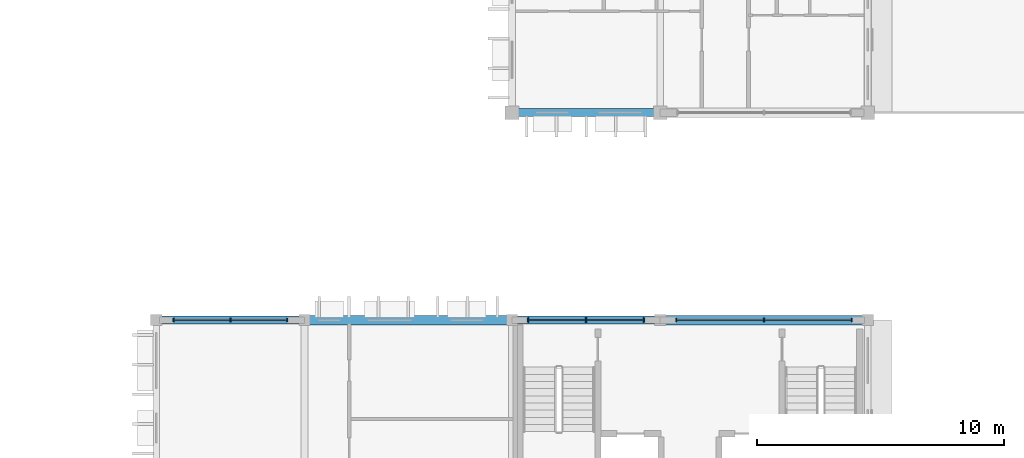
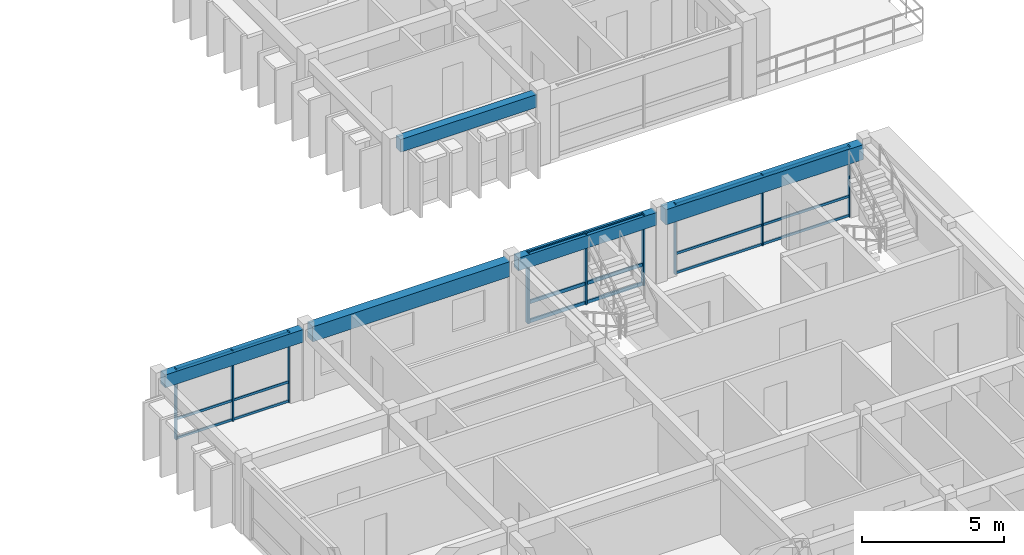
# One storey, part 14 of 68: 18 members, 5 beams, 3 elements without a shape of their own.
"""IFC4 building model written with IfcOpenShell, lengths in metres."""

import ifcopenshell
import ifcopenshell.guid

model = None  # the IFC model being written
_history = None  # IfcOwnerHistory: only IFC2X3 demands one
_inside = {}  # id of a spatial element -> (the spatial element, [elements in it])
_under = {}  # id of a project, library or spatial element -> (it, [spatial elements below it])
_declared = {}  # id of a project -> (the project, [libraries it declares])
_typed = {}  # id of a type object -> (the type object, [elements of that type])
_made_of = {}  # id of a material, layer set ... -> (it, [elements and type objects made of it])


def new_model(schema):
    """Start an empty IFC model of exactly this schema.

    Asked for "IFC4X3", IfcOpenShell would pick the latest addendum, in which some entities
    have other attributes; the version numbers below select the first issue.
    IFC2X3 requires an IfcOwnerHistory on every rooted entity: one is made here for all.
    """
    global model, _history
    if schema == "IFC4X3":
        model = ifcopenshell.file(schema_version=(4, 3, 0, 0))
    else:
        model = ifcopenshell.file(schema=schema)
    _inside.clear()
    _under.clear()
    _declared.clear()
    _typed.clear()
    _made_of.clear()
    _history = None
    if model.schema == "IFC2X3":
        org = make("IfcOrganization", Name="unknown")
        user = make(
            "IfcPersonAndOrganization",
            ThePerson=make("IfcPerson", FamilyName="unknown"),
            TheOrganization=org,
        )
        app = make(
            "IfcApplication",
            ApplicationDeveloper=org,
            Version="unknown",
            ApplicationFullName="unknown",
            ApplicationIdentifier="unknown",
        )
        _history = make(
            "IfcOwnerHistory",
            OwningUser=user,
            OwningApplication=app,
            ChangeAction="ADDED",
            CreationDate=0,
        )
    return model


def make(cls, **values):
    """One entity of the class cls with the attributes given. An attribute that is None is left unset."""
    return model.create_entity(
        cls, **{name: value for name, value in values.items() if value is not None}
    )


def rooted(cls, **values):
    """An entity with a GlobalId (a new one), such as an element, a storey or a relation."""
    return make(cls, GlobalId=ifcopenshell.guid.new(), OwnerHistory=_history, **values)


def si_unit(unit_type, name, prefix=None):
    """IfcSIUnit, for example si_unit("LENGTHUNIT", "METRE", prefix="MILLI")."""
    return make("IfcSIUnit", UnitType=unit_type, Prefix=prefix, Name=name)


def assignment(units):
    """IfcUnitAssignment: the units of a project."""
    return None if units is None else make("IfcUnitAssignment", Units=units)


def point(xyz):
    """IfcCartesianPoint."""
    return None if xyz is None else make("IfcCartesianPoint", Coordinates=xyz)


def direction(xyz):
    """IfcDirection."""
    return None if xyz is None else make("IfcDirection", DirectionRatios=xyz)


def frame(location, z_axis=None, x_axis=None):
    """IfcAxis2Placement3D, a coordinate frame: its origin and axes. An axis left out is left unset."""
    return make(
        "IfcAxis2Placement3D",
        Location=point(location),
        Axis=direction(z_axis),
        RefDirection=direction(x_axis),
    )


def frame_2d(location, x_axis=None):
    """IfcAxis2Placement2D, a coordinate frame in the plane: its origin and x axis."""
    return make(
        "IfcAxis2Placement2D", Location=point(location), RefDirection=direction(x_axis)
    )


def origin():
    """The frame at (0, 0, 0) with its axes left unset."""
    return frame((0.0, 0.0, 0.0))


def origin_2d():
    """The frame at (0, 0) in the plane with its x axis left unset."""
    return frame_2d((0.0, 0.0))


def place(relative_to, where):
    """IfcLocalPlacement: puts the frame where relative to a parent placement (None: the world)."""
    return make(
        "IfcLocalPlacement", PlacementRelTo=relative_to, RelativePlacement=where
    )


def context(
    kind, dimensions, precision=None, world=None, true_north=None, identifier=None
):
    """IfcGeometricRepresentationContext, for example the 3D "Model" context."""
    return make(
        "IfcGeometricRepresentationContext",
        ContextIdentifier=identifier,
        ContextType=kind,
        CoordinateSpaceDimension=dimensions,
        Precision=precision,
        WorldCoordinateSystem=world,
        TrueNorth=true_north,
    )


def subcontext(parent, identifier, kind, view, scale=None):
    """IfcGeometricRepresentationSubContext, for example "Body" below "Model"."""
    return make(
        "IfcGeometricRepresentationSubContext",
        ContextIdentifier=identifier,
        ContextType=kind,
        ParentContext=parent,
        TargetScale=scale,
        TargetView=view,
    )


def project(units=None, contexts=None):
    """IfcProject with its units and contexts."""
    return rooted(
        "IfcProject",
        Name="project",
        RepresentationContexts=contexts,
        UnitsInContext=assignment(units),
    )


def spatial(cls, under=None, at=None, **own):
    """A site, building, storey or space (cls), placed at a placement, below another one or the project."""
    s = rooted(cls, ObjectPlacement=at, **own)
    if under is not None:
        _under.setdefault(under.id(), (under, []))[1].append(s)
    return s


def profile(cls, at=None, kind="AREA", **sizes):
    """A parametric profile (cls). Its sizes go by their IFC names, for example OverallWidth=200.0."""
    return make(cls, ProfileType=kind, Position=at, **sizes)


def rectangle(**sizes):
    """IfcRectangleProfileDef."""
    return profile("IfcRectangleProfileDef", **sizes)


def extrude(swept, where, along, depth):
    """IfcExtrudedAreaSolid: the profile swept, set in the frame where, extruded along a direction by depth."""
    return make(
        "IfcExtrudedAreaSolid",
        SweptArea=swept,
        Position=where,
        ExtrudedDirection=direction(along),
        Depth=depth,
    )


def shape(context_of_items, identifier, shape_type, items):
    """IfcShapeRepresentation: the items that make up one representation, for example the "Body"."""
    return make(
        "IfcShapeRepresentation",
        ContextOfItems=context_of_items,
        RepresentationIdentifier=identifier,
        RepresentationType=shape_type,
        Items=items,
    )


def material(Name=None, Category=None):
    """IfcMaterial."""
    return make("IfcMaterial", Name=Name, Category=Category)


def material_profile(
    of_material, cross_section, Name=None, Category=None, Priority=None
):
    """IfcMaterialProfile: a cross section and its material."""
    return make(
        "IfcMaterialProfile",
        Name=Name,
        Material=of_material,
        Profile=cross_section,
        Priority=Priority,
        Category=Category,
    )


def profile_set(profiles, Name=None, composite=None):
    """IfcMaterialProfileSet."""
    return make(
        "IfcMaterialProfileSet",
        Name=Name,
        MaterialProfiles=profiles,
        CompositeProfile=composite,
    )


def made_of(thing, what):
    """Note that an element or type object is made of a material, layer set ...; save() writes the relation."""
    if what is not None:
        _made_of.setdefault(what.id(), (what, []))[1].append(thing)
    return thing


def type_object(cls, material=None, **own):
    """A type object (cls), such as IfcWallType, which elements share."""
    return made_of(rooted(cls, **own), material)


def element(
    cls,
    number,
    at=None,
    inside=None,
    cuts=None,
    type_object=None,
    material=None,
    context=None,
    identifier="Body",
    shape_type=None,
    held_by="IfcProductDefinitionShape",
    body=None,
    shapes=None,
    **own,
):
    """One element of the class cls, such as IfcWall. Its Tag is "e" and its number.

    at: its placement. inside: the storey or other place that contains it. cuts: it is an
    opening in that element (IfcRelVoidsElement). A single representation is given by context,
    identifier, shape_type and body (its items); several are given by shapes. held_by: the class
    of the entity that holds the representations. save() writes the other relations.
    """
    e = rooted(cls, Tag="e%d" % number, ObjectPlacement=at, **own)
    if body is not None:
        shapes = [shape(context, identifier, shape_type, body)]
    if shapes is not None:
        e.Representation = make(held_by, Representations=shapes)
    if inside is not None:
        _inside.setdefault(inside.id(), (inside, []))[1].append(e)
    if cuts is not None:
        rooted(
            "IfcRelVoidsElement", RelatingBuildingElement=cuts, RelatedOpeningElement=e
        )
    if type_object is not None:
        _typed.setdefault(type_object.id(), (type_object, []))[1].append(e)
    return made_of(e, material)


def aggregate(whole, parts):
    """IfcRelAggregates: a whole, such as a stair, and the parts it consists of."""
    return rooted("IfcRelAggregates", RelatingObject=whole, RelatedObjects=parts)


def save(model, path):
    """Write the relations noted so far, then the file.

    IfcRelAggregates (storeys below a building ...), IfcRelContainedInSpatialStructure (elements
    in a storey), IfcRelDefinesByType, IfcRelAssociatesMaterial and IfcRelDeclares: one each for
    every whole, place, type object, material and project.
    """
    for whole, parts in _under.values():
        aggregate(whole, parts)
    for where, things in _inside.values():
        rooted(
            "IfcRelContainedInSpatialStructure",
            RelatedElements=things,
            RelatingStructure=where,
        )
    for kind, things in _typed.values():
        rooted("IfcRelDefinesByType", RelatedObjects=things, RelatingType=kind)
    for what, things in _made_of.values():
        rooted("IfcRelAssociatesMaterial", RelatedObjects=things, RelatingMaterial=what)
    for by, libraries in _declared.values():
        rooted("IfcRelDeclares", RelatingContext=by, RelatedDefinitions=libraries)
    model.write(path)


model = new_model("IFC4")

# Units and contexts
model_context = context("Model", 3, precision=1e-05, world=origin(), true_north=direction((0.0, 1.0)))
body_context = subcontext(model_context, "Body", "Model", "MODEL_VIEW")
ifc_project = project(units=[si_unit("LENGTHUNIT", "METRE"), si_unit("AREAUNIT", "SQUARE_METRE"), si_unit("VOLUMEUNIT", "CUBIC_METRE"), si_unit("PLANEANGLEUNIT", "RADIAN"), si_unit("MASSUNIT", "GRAM", prefix="KILO"), si_unit("THERMODYNAMICTEMPERATUREUNIT", "KELVIN")], contexts=[model_context])

# Site, building, storey
site_placement = place(None, origin())
site = spatial("IfcSite", under=ifc_project, at=site_placement, CompositionType="ELEMENT")
building_placement = place(site_placement, origin())
building = spatial("IfcBuilding", under=site, at=building_placement, Name="Thalorik Housing Commons", CompositionType="ELEMENT")
storey_placement = place(building_placement, frame((0.0, 0.0, 24.60009765625)))
storey = spatial("IfcBuildingStorey", under=building, at=storey_placement, Name="L07", CompositionType="ELEMENT", Elevation=24.60009765625)

# Curtain wall, members
ifc_material_1 = material(Name="Anodised aluminium and solar-control low-E glass", Category="aluminium")
curtain_wall_type_1 = type_object("IfcCurtainWallType", Name="ARC-CW-LOUNGE", PredefinedType="USERDEFINED", material=ifc_material_1)
curtain_wall_1_placement = place(storey_placement, origin())
curtain_wall_1 = element("IfcCurtainWall", 1, at=curtain_wall_1_placement, inside=storey, type_object=curtain_wall_type_1, Name="L07 Curtain Wall CW-RES-L07-D-200", ObjectType="CURTAIN WALL", PredefinedType="USERDEFINED")
ifc_material_2 = material(Name="Anodised aluminium 6063-T6", Category="aluminium")
ifc_material_profile_1 = material_profile(ifc_material_2, rectangle(XDim=0.054931640625, YDim=0.139892578125, at=origin_2d()), Name="ALU MUL 55x140", Category="aluminium")
ifc_profile_set_1 = profile_set([ifc_material_profile_1], Name="Anodised aluminium 6063-T6")
member_type_1 = type_object("IfcMemberType", Name="ARC-CW-MUL-55x140", PredefinedType="MULLION", material=ifc_profile_set_1)
member_1_placement = place(storey_placement, frame((143.300048828125, 72.0, 0.0), z_axis=(0.0, 0.0, 1.0), x_axis=(-1.0, 0.0, 0.0)))
member_1 = element("IfcMember", 2, at=member_1_placement, type_object=member_type_1, Name="CW-RES-L07-D-200 Mullion 1", PredefinedType="MULLION", context=body_context, shape_type="SweptSolid", body=[
    extrude(rectangle(XDim=0.054931640625, YDim=0.139892578125, at=origin_2d()), origin(), (0.0, 0.0, 1.0), 3.039794921875),
])
member_2_placement = place(storey_placement, frame((141.0, 72.0, 0.0), z_axis=(0.0, 0.0, 1.0), x_axis=(-1.0, 0.0, 0.0)))
member_2 = element("IfcMember", 3, at=member_2_placement, type_object=member_type_1, Name="CW-RES-L07-D-200 Mullion 2", PredefinedType="MULLION", context=body_context, shape_type="SweptSolid", body=[
    extrude(rectangle(XDim=0.054931640625, YDim=0.139892578125, at=origin_2d()), origin(), (0.0, 0.0, 1.0), 3.039794921875),
])
member_3_placement = place(storey_placement, frame((138.699951171875, 72.0, 0.0), z_axis=(0.0, 0.0, 1.0), x_axis=(-1.0, 0.0, 0.0)))
member_3 = element("IfcMember", 4, at=member_3_placement, type_object=member_type_1, Name="CW-RES-L07-D-200 Mullion 3", PredefinedType="MULLION", context=body_context, shape_type="SweptSolid", body=[
    extrude(rectangle(XDim=0.054931640625, YDim=0.139892578125, at=origin_2d()), origin(), (0.0, 0.0, 1.0), 3.039794921875),
])

curtain_wall_type_2 = type_object("IfcCurtainWallType", Name="ARC-CW-CORE", PredefinedType="USERDEFINED", material=ifc_material_1)
curtain_wall_2_placement = place(storey_placement, origin())
curtain_wall_2 = element("IfcCurtainWall", 5, at=curtain_wall_2_placement, inside=storey, type_object=curtain_wall_type_2, Name="L07 Curtain Wall CW-CORE-L07-D-205", ObjectType="CURTAIN WALL", PredefinedType="USERDEFINED")
member_4_placement = place(storey_placement, frame((166.14990234375, 72.0, 0.0), z_axis=(0.0, 0.0, 1.0), x_axis=(-1.0, 0.0, 0.0)))
member_4 = element("IfcMember", 6, at=member_4_placement, type_object=member_type_1, Name="CW-CORE-L07-D-205 Mullion 1", PredefinedType="MULLION", context=body_context, shape_type="SweptSolid", body=[
    extrude(rectangle(XDim=0.054931640625, YDim=0.139892578125, at=origin_2d()), origin(), (0.0, 0.0, 1.0), 3.039794921875),
])
member_5_placement = place(storey_placement, frame((162.60009765625, 72.0, 0.0), z_axis=(0.0, 0.0, 1.0), x_axis=(-1.0, 0.0, 0.0)))
member_5 = element("IfcMember", 7, at=member_5_placement, type_object=member_type_1, Name="CW-CORE-L07-D-205 Mullion 2", PredefinedType="MULLION", context=body_context, shape_type="SweptSolid", body=[
    extrude(rectangle(XDim=0.054931640625, YDim=0.139892578125, at=origin_2d()), origin(), (0.0, 0.0, 1.0), 3.039794921875),
])
member_6_placement = place(storey_placement, frame((159.050048828125, 72.0, 0.0), z_axis=(0.0, 0.0, 1.0), x_axis=(-1.0, 0.0, 0.0)))
member_6 = element("IfcMember", 8, at=member_6_placement, type_object=member_type_1, Name="CW-CORE-L07-D-205 Mullion 3", PredefinedType="MULLION", context=body_context, shape_type="SweptSolid", body=[
    extrude(rectangle(XDim=0.054931640625, YDim=0.139892578125, at=origin_2d()), origin(), (0.0, 0.0, 1.0), 3.039794921875),
])

curtain_wall_3_placement = place(storey_placement, origin())
curtain_wall_3 = element("IfcCurtainWall", 9, at=curtain_wall_3_placement, inside=storey, type_object=curtain_wall_type_2, Name="L07 Curtain Wall CW-CORE-L07-D-206", ObjectType="CURTAIN WALL", PredefinedType="USERDEFINED")
ifc_material_profile_2 = material_profile(ifc_material_2, rectangle(XDim=0.06494140625, YDim=0.179931640625, at=origin_2d()), Name="ALU MUL 65x180", Category="aluminium")
ifc_profile_set_2 = profile_set([ifc_material_profile_2], Name="Anodised aluminium 6063-T6")
member_type_2 = type_object("IfcMemberType", Name="ARC-CW-MUL-65x180", PredefinedType="MULLION", material=ifc_profile_set_2)
member_7_placement = place(storey_placement, frame((157.75, 72.0, 0.0), z_axis=(0.0, 0.0, 1.0), x_axis=(-1.0, 0.0, 0.0)))
member_7 = element("IfcMember", 10, at=member_7_placement, type_object=member_type_2, Name="CW-CORE-L07-D-206 Mullion 1", PredefinedType="MULLION", context=body_context, shape_type="SweptSolid", body=[
    extrude(rectangle(XDim=0.06494140625, YDim=0.179931640625, at=origin_2d()), origin(), (0.0, 0.0, 1.0), 3.039794921875),
])
member_8_placement = place(storey_placement, frame((155.39990234375, 72.0, 0.0), z_axis=(0.0, 0.0, 1.0), x_axis=(-1.0, 0.0, 0.0)))
member_8 = element("IfcMember", 11, at=member_8_placement, type_object=member_type_2, Name="CW-CORE-L07-D-206 Mullion 2", PredefinedType="MULLION", context=body_context, shape_type="SweptSolid", body=[
    extrude(rectangle(XDim=0.06494140625, YDim=0.179931640625, at=origin_2d()), origin(), (0.0, 0.0, 1.0), 3.039794921875),
])
member_9_placement = place(storey_placement, frame((153.050048828125, 72.0, 0.0), z_axis=(0.0, 0.0, 1.0), x_axis=(-1.0, 0.0, 0.0)))
member_9 = element("IfcMember", 12, at=member_9_placement, type_object=member_type_2, Name="CW-CORE-L07-D-206 Mullion 3", PredefinedType="MULLION", context=body_context, shape_type="SweptSolid", body=[
    extrude(rectangle(XDim=0.06494140625, YDim=0.179931640625, at=origin_2d()), origin(), (0.0, 0.0, 1.0), 3.039794921875),
])

# Member
ifc_material_profile_3 = material_profile(ifc_material_2, rectangle(XDim=0.054931640625, YDim=0.10498046875, at=origin_2d()), Name="ALU TRN 55x105", Category="aluminium")
ifc_profile_set_3 = profile_set([ifc_material_profile_3], Name="Anodised aluminium 6063-T6")
member_type_3 = type_object("IfcMemberType", Name="ARC-CW-TRN-55x105", PredefinedType="USERDEFINED", material=ifc_profile_set_3)
member_10_placement = place(storey_placement, frame((143.300048828125, 72.0, 0.054931640625), z_axis=(-1.0, 0.0, 0.0), x_axis=(0.0, -1.0, 0.0)))
member_10 = element("IfcMember", 13, at=member_10_placement, type_object=member_type_3, Name="CW-RES-L07-D-200 Transom 1", ObjectType="TRANSOM", PredefinedType="USERDEFINED", context=body_context, shape_type="SweptSolid", body=[
    extrude(rectangle(XDim=0.054931640625, YDim=0.10498046875, at=origin_2d()), origin(), (0.0, 0.0, 1.0), 4.60009765625),
])

member_11_placement = place(storey_placement, frame((143.300048828125, 72.0, 0.8798828125), z_axis=(-1.0, 0.0, 0.0), x_axis=(0.0, -1.0, 0.0)))
member_11 = element("IfcMember", 14, at=member_11_placement, type_object=member_type_3, Name="CW-RES-L07-D-200 Transom 2", ObjectType="TRANSOM", PredefinedType="USERDEFINED", context=body_context, shape_type="SweptSolid", body=[
    extrude(rectangle(XDim=0.054931640625, YDim=0.10498046875, at=origin_2d()), origin(), (0.0, 0.0, 1.0), 4.60009765625),
])

member_12_placement = place(storey_placement, frame((143.300048828125, 72.0, 2.98486328125), z_axis=(-1.0, 0.0, 0.0), x_axis=(0.0, -1.0, 0.0)))
member_12 = element("IfcMember", 15, at=member_12_placement, type_object=member_type_3, Name="CW-RES-L07-D-200 Transom 3", ObjectType="TRANSOM", PredefinedType="USERDEFINED", context=body_context, shape_type="SweptSolid", body=[
    extrude(rectangle(XDim=0.054931640625, YDim=0.10498046875, at=origin_2d()), origin(), (0.0, 0.0, 1.0), 4.60009765625),
])

aggregate(curtain_wall_1, [member_1, member_2, member_3, member_10, member_11, member_12])

member_13_placement = place(storey_placement, frame((166.14990234375, 72.0, 0.054931640625), z_axis=(-1.0, 0.0, 0.0), x_axis=(0.0, -1.0, 0.0)))
member_13 = element("IfcMember", 16, at=member_13_placement, type_object=member_type_3, Name="CW-CORE-L07-D-205 Transom 1", ObjectType="TRANSOM", PredefinedType="USERDEFINED", context=body_context, shape_type="SweptSolid", body=[
    extrude(rectangle(XDim=0.054931640625, YDim=0.10498046875, at=origin_2d()), origin(), (0.0, 0.0, 1.0), 7.099853515625),
])

member_14_placement = place(storey_placement, frame((166.14990234375, 72.0, 0.8798828125), z_axis=(-1.0, 0.0, 0.0), x_axis=(0.0, -1.0, 0.0)))
member_14 = element("IfcMember", 17, at=member_14_placement, type_object=member_type_3, Name="CW-CORE-L07-D-205 Transom 2", ObjectType="TRANSOM", PredefinedType="USERDEFINED", context=body_context, shape_type="SweptSolid", body=[
    extrude(rectangle(XDim=0.054931640625, YDim=0.10498046875, at=origin_2d()), origin(), (0.0, 0.0, 1.0), 7.099853515625),
])

member_15_placement = place(storey_placement, frame((166.14990234375, 72.0, 2.98486328125), z_axis=(-1.0, 0.0, 0.0), x_axis=(0.0, -1.0, 0.0)))
member_15 = element("IfcMember", 18, at=member_15_placement, type_object=member_type_3, Name="CW-CORE-L07-D-205 Transom 3", ObjectType="TRANSOM", PredefinedType="USERDEFINED", context=body_context, shape_type="SweptSolid", body=[
    extrude(rectangle(XDim=0.054931640625, YDim=0.10498046875, at=origin_2d()), origin(), (0.0, 0.0, 1.0), 7.099853515625),
])

aggregate(curtain_wall_2, [member_4, member_5, member_6, member_13, member_14, member_15])

ifc_material_profile_4 = material_profile(ifc_material_2, rectangle(XDim=0.06494140625, YDim=0.14990234375, at=origin_2d()), Name="ALU TRN 65x150", Category="aluminium")
ifc_profile_set_4 = profile_set([ifc_material_profile_4], Name="Anodised aluminium 6063-T6")
member_type_4 = type_object("IfcMemberType", Name="ARC-CW-TRN-65x150", PredefinedType="USERDEFINED", material=ifc_profile_set_4)
member_16_placement = place(storey_placement, frame((157.75, 72.0, 0.054931640625), z_axis=(-1.0, 0.0, 0.0), x_axis=(0.0, -1.0, 0.0)))
member_16 = element("IfcMember", 19, at=member_16_placement, type_object=member_type_4, Name="CW-CORE-L07-D-206 Transom 1", ObjectType="TRANSOM", PredefinedType="USERDEFINED", context=body_context, shape_type="SweptSolid", body=[
    extrude(rectangle(XDim=0.06494140625, YDim=0.14990234375, at=origin_2d()), origin(), (0.0, 0.0, 1.0), 4.699951171875),
])

member_17_placement = place(storey_placement, frame((157.75, 72.0, 0.8798828125), z_axis=(-1.0, 0.0, 0.0), x_axis=(0.0, -1.0, 0.0)))
member_17 = element("IfcMember", 20, at=member_17_placement, type_object=member_type_4, Name="CW-CORE-L07-D-206 Transom 2", ObjectType="TRANSOM", PredefinedType="USERDEFINED", context=body_context, shape_type="SweptSolid", body=[
    extrude(rectangle(XDim=0.06494140625, YDim=0.14990234375, at=origin_2d()), origin(), (0.0, 0.0, 1.0), 4.699951171875),
])

member_18_placement = place(storey_placement, frame((157.75, 72.0, 2.98486328125), z_axis=(-1.0, 0.0, 0.0), x_axis=(0.0, -1.0, 0.0)))
member_18 = element("IfcMember", 21, at=member_18_placement, type_object=member_type_4, Name="CW-CORE-L07-D-206 Transom 3", ObjectType="TRANSOM", PredefinedType="USERDEFINED", context=body_context, shape_type="SweptSolid", body=[
    extrude(rectangle(XDim=0.06494140625, YDim=0.14990234375, at=origin_2d()), origin(), (0.0, 0.0, 1.0), 4.699951171875),
])

aggregate(curtain_wall_3, [member_7, member_8, member_9, member_16, member_17, member_18])

# Beams
ifc_material_3 = material(Name="Precast concrete C40/50", Category="concrete")
ifc_material_profile_5 = material_profile(ifc_material_3, rectangle(XDim=0.320068359375, YDim=0.550048828125, at=origin_2d()), Name="PC 320x550", Category="concrete")
ifc_profile_set_5 = profile_set([ifc_material_profile_5], Name="Precast concrete C40/50")
beam_type_1 = type_object("IfcBeamType", Name="STR-BM-PC320x550", PredefinedType="BEAM", material=ifc_profile_set_5)
beam_1_placement = place(storey_placement, frame((138.175048828125, 72.0, 2.764892578125), z_axis=(1.0, 0.0, 0.0), x_axis=(0.0, 1.0, 0.0)))
element("IfcBeam", 22, at=beam_1_placement, inside=storey, type_object=beam_type_1, Name="L07 Beam B-550", PredefinedType="BEAM", context=body_context, shape_type="SweptSolid", body=[
    extrude(rectangle(XDim=0.320068359375, YDim=0.550048828125, at=origin_2d()), origin(), (0.0, 0.0, 1.0), 5.64990234375),
])
beam_2_placement = place(storey_placement, frame((152.574951171875, 72.0, 2.764892578125), z_axis=(1.0, 0.0, 0.0), x_axis=(0.0, 1.0, 0.0)))
element("IfcBeam", 23, at=beam_2_placement, inside=storey, type_object=beam_type_1, Name="L07 Beam B-550", PredefinedType="BEAM", context=body_context, shape_type="SweptSolid", body=[
    extrude(rectangle(XDim=0.320068359375, YDim=0.550048828125, at=origin_2d()), origin(), (0.0, 0.0, 1.0), 5.650146484375),
])
beam_3_placement = place(storey_placement, frame((152.625, 80.39990234375, 2.764892578125), z_axis=(1.0, 0.0, 0.0), x_axis=(0.0, 1.0, 0.0)))
element("IfcBeam", 24, at=beam_3_placement, inside=storey, type_object=beam_type_1, Name="L07 Beam B-550", PredefinedType="BEAM", context=body_context, shape_type="SweptSolid", body=[
    extrude(rectangle(XDim=0.320068359375, YDim=0.550048828125, at=origin_2d()), origin(), (0.0, 0.0, 1.0), 5.550048828125),
])
ifc_material_profile_6 = material_profile(ifc_material_3, rectangle(XDim=0.3798828125, YDim=0.64990234375, at=origin_2d()), Name="PC 380x650", Category="concrete")
ifc_profile_set_6 = profile_set([ifc_material_profile_6], Name="Precast concrete C40/50")
beam_type_2 = type_object("IfcBeamType", Name="STR-BM-PC380x650", PredefinedType="BEAM", material=ifc_profile_set_6)
for number, where, z_axis, x_axis, name in (
    (25, (144.175048828125, 72.0, 2.71484375), (1.0, 0.0, 0.0), (0.0, 1.0, 0.0), "L07 Beam B-650"),
    (26, (158.574951171875, 72.0, 2.71484375), (1.0, 0.0, 0.0), (0.0, 1.0, 0.0), "L07 Beam B-650"),
):
    element("IfcBeam", number, at=place(storey_placement, frame(where, z_axis=z_axis, x_axis=x_axis)), inside=storey, type_object=beam_type_2, Name=name, PredefinedType="BEAM", context=body_context, shape_type="SweptSolid", body=[
        extrude(rectangle(XDim=0.3798828125, YDim=0.64990234375, at=origin_2d()), origin(), (0.0, 0.0, 1.0), 8.050048828125),
    ])

save(model, "model.ifc")
